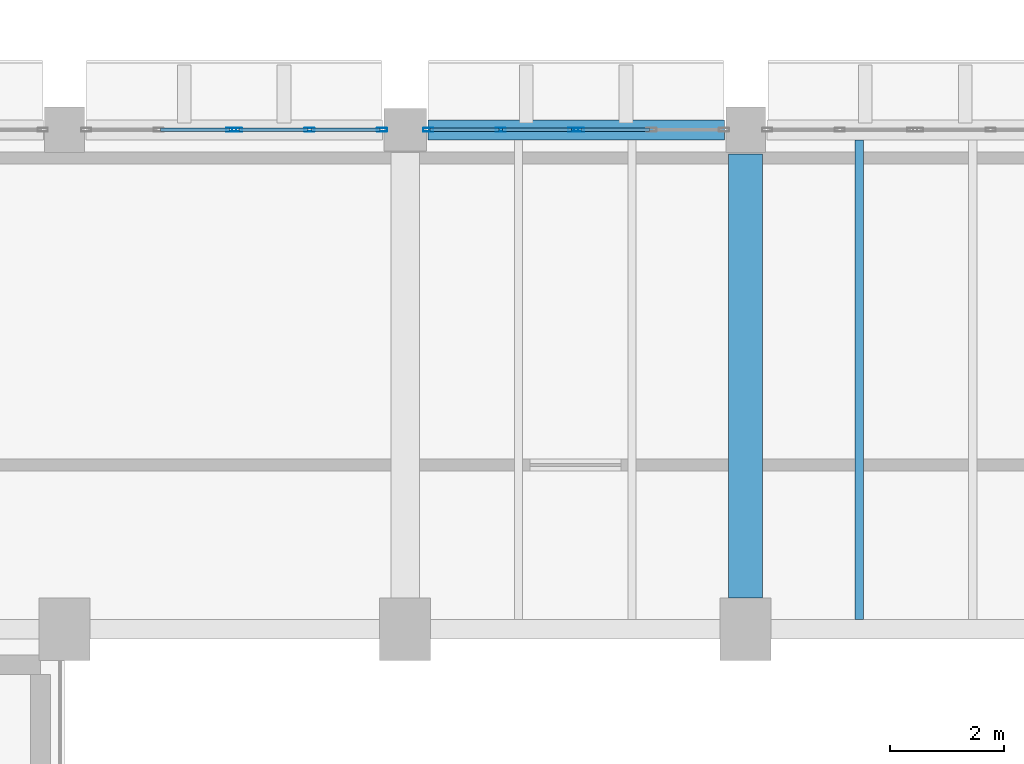
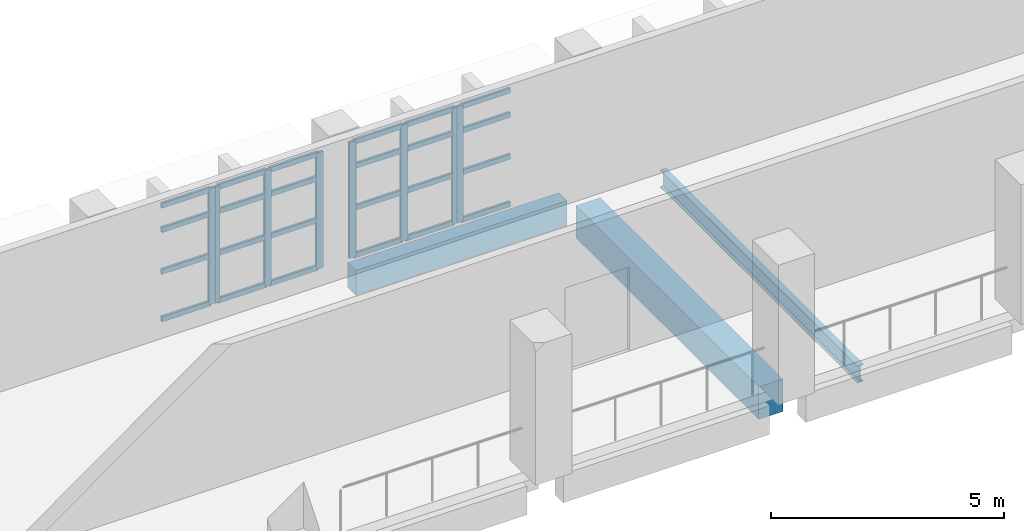
# One storey, part 38 of 80: 32 members, 3 beams, 4 elements without a shape of their own.
"""IFC4 building model written with IfcOpenShell, lengths in metres."""

from ifc_helpers import new_model, si_unit, direction, frame, origin, origin_2d, place, context, subcontext, project, spatial, rectangle, hollow_rectangle, i_section, extrude, material, material_profile, profile_set, type_object, element, aggregate, save


model = new_model("IFC4")

# Units and contexts
model_context = context("Model", 3, precision=1e-05, world=origin(), true_north=direction((0.0, 1.0)))
body_context = subcontext(model_context, "Body", "Model", "MODEL_VIEW")
ifc_project = project(units=[si_unit("LENGTHUNIT", "METRE"), si_unit("AREAUNIT", "SQUARE_METRE"), si_unit("VOLUMEUNIT", "CUBIC_METRE"), si_unit("PLANEANGLEUNIT", "RADIAN"), si_unit("MASSUNIT", "GRAM", prefix="KILO")], contexts=[model_context])

# Site, building, storey
site_placement = place(None, origin())
site = spatial("IfcSite", under=ifc_project, at=site_placement, CompositionType="ELEMENT")
building_placement = place(site_placement, origin())
building = spatial("IfcBuilding", under=site, at=building_placement, Name="Varnakota Cinema and Media Centre", CompositionType="ELEMENT")
storey_placement = place(building_placement, frame((0.0, 0.0, 4.5)))
storey = spatial("IfcBuildingStorey", under=building, at=storey_placement, Name="L01", CompositionType="ELEMENT", Elevation=4.5)

# Beams
ifc_material_1 = material(Name="Concrete M35", Category="concrete")
ifc_material_profile_1 = material_profile(ifc_material_1, rectangle(XDim=0.60009765625, YDim=0.85009765625, at=origin_2d()), Name="RCB 600x850")
ifc_profile_set_1 = profile_set([ifc_material_profile_1], Name="Concrete M35")
beam_type_1 = type_object("IfcBeamType", Name="BM-RC-600x850", PredefinedType="BEAM", material=ifc_profile_set_1)
beam_1_placement = place(storey_placement, frame((105.0, 35.75, -0.675048828125), z_axis=(0.0, 1.0, 0.0), x_axis=(-1.0, 0.0, 0.0)))
element("IfcBeam", 1, at=beam_1_placement, inside=storey, type_object=beam_type_1, Name="L01 girder Q/5-6", PredefinedType="BEAM", context=body_context, shape_type="SweptSolid", body=[
    extrude(rectangle(XDim=0.60009765625, YDim=0.85009765625, at=origin_2d()), origin(), (0.0, 0.0, 1.0), 7.824951171875),
])
ifc_material_2 = material(Name="Concrete M40", Category="concrete")
ifc_material_profile_2 = material_profile(ifc_material_2, rectangle(XDim=0.35009765625, YDim=0.64990234375, at=origin_2d()), Name="RCB 350x650")
ifc_profile_set_2 = profile_set([ifc_material_profile_2], Name="Concrete M40")
beam_type_2 = type_object("IfcBeamType", Name="BM-SP-350x650", PredefinedType="SPANDREL", material=ifc_profile_set_2)
beam_2_placement = place(storey_placement, frame((99.39990234375, 44.0, -0.574951171875), z_axis=(1.0, 0.0, 0.0), x_axis=(0.0, 1.0, 0.0)))
element("IfcBeam", 2, at=beam_2_placement, inside=storey, type_object=beam_type_2, Name="L01 girder P-Q/6", PredefinedType="SPANDREL", context=body_context, shape_type="SweptSolid", body=[
    extrude(rectangle(XDim=0.35009765625, YDim=0.64990234375, at=origin_2d()), origin(), (0.0, 0.0, 1.0), 5.22509765625),
])
ifc_material_3 = material(Name="Structural steel Grade 350 (E350)", Category="steel")
ifc_material_profile_3 = material_profile(ifc_material_3, i_section(OverallWidth=0.14990234375, OverallDepth=0.449951171875, WebThickness=0.009521484375, FlangeThickness=0.017333984375, FilletRadius=0.014892578125, at=origin_2d()), Name="ISMB 450")
ifc_profile_set_3 = profile_set([ifc_material_profile_3], Name="Structural steel Grade 350 (E350)")
beam_type_3 = type_object("IfcBeamType", Name="BM-ST-ISMB450", PredefinedType="BEAM", material=ifc_profile_set_3)
beam_3_placement = place(storey_placement, frame((107.0, 35.375, -0.47509765625), z_axis=(0.0, 1.0, 0.0), x_axis=(-1.0, 0.0, 0.0)))
element("IfcBeam", 3, at=beam_3_placement, inside=storey, type_object=beam_type_3, Name="L01 steel joist Q-R/5-6 #1", PredefinedType="BEAM", context=body_context, shape_type="SweptSolid", body=[
    extrude(i_section(OverallWidth=0.14990234375, OverallDepth=0.449951171875, WebThickness=0.009521484375, FlangeThickness=0.017333984375, FilletRadius=0.014892578125, at=origin_2d()), origin(), (0.0, 0.0, 1.0), 8.449951171875),
])

# Curtain wall, member
ifc_material_4 = material(Name="Thermally broken anodised aluminium AW-6063", Category="aluminium")
curtain_wall_type = type_object("IfcCurtainWallType", Name="CW-STD-262x304", PredefinedType="USERDEFINED", material=ifc_material_4)
curtain_wall_1_placement = place(storey_placement, origin())
curtain_wall_1 = element("IfcCurtainWall", 4, at=curtain_wall_1_placement, inside=storey, type_object=curtain_wall_type, Name="L01 curtain wall CW-L01-V1-N-04-1", ObjectType="UNITISED CURTAIN WALL", PredefinedType="USERDEFINED")
ifc_material_5 = material(Name="Thermally broken anodised aluminium AW-6063", Category="aluminium")
ifc_material_profile_4 = material_profile(ifc_material_5, hollow_rectangle(XDim=0.06494140625, YDim=0.179931640625, WallThickness=0.00390625, InnerFilletRadius=0.00390625, OuterFilletRadius=0.008056640625, at=origin_2d()), Name="AL-MULLION 180x65x4")
ifc_profile_set_4 = profile_set([ifc_material_profile_4], Name="Thermally broken anodised aluminium AW-6063")
member_type_1 = type_object("IfcMemberType", Name="CWM-AL-180", PredefinedType="MULLION", material=ifc_profile_set_4)
member_1_placement = place(storey_placement, frame((95.93505859375, 44.0, 0.0), z_axis=(0.0, 0.0, 1.0), x_axis=(0.0, 1.0, 0.0)))
member_1 = element("IfcMember", 5, at=member_1_placement, type_object=member_type_1, Name="CW17 mullion 3", PredefinedType="MULLION", context=body_context, shape_type="SweptSolid", body=[
    extrude(hollow_rectangle(XDim=0.06494140625, YDim=0.179931640625, WallThickness=0.00390625, InnerFilletRadius=0.00390625, OuterFilletRadius=0.008056640625, at=origin_2d()), origin(), (0.0, 0.0, 1.0), 3.034912109375),
])

# Curtain wall, members
curtain_wall_2_placement = place(storey_placement, origin())
curtain_wall_2 = element("IfcCurtainWall", 6, at=curtain_wall_2_placement, inside=storey, type_object=curtain_wall_type, Name="L01 curtain wall CW-L01-V1-N-04-2", ObjectType="UNITISED CURTAIN WALL", PredefinedType="USERDEFINED")
member_2_placement = place(storey_placement, frame((96.0400390625, 44.0, 0.0), z_axis=(0.0, 0.0, 1.0), x_axis=(0.0, 1.0, 0.0)))
member_2 = element("IfcMember", 7, at=member_2_placement, type_object=member_type_1, Name="CW17 mullion 1", PredefinedType="MULLION", context=body_context, shape_type="SweptSolid", body=[
    extrude(hollow_rectangle(XDim=0.06494140625, YDim=0.179931640625, WallThickness=0.00390625, InnerFilletRadius=0.00390625, OuterFilletRadius=0.008056640625, at=origin_2d()), origin(), (0.0, 0.0, 1.0), 3.034912109375),
])
member_3_placement = place(storey_placement, frame((97.316162109375, 44.0, 0.0), z_axis=(0.0, 0.0, 1.0), x_axis=(0.0, 1.0, 0.0)))
member_3 = element("IfcMember", 8, at=member_3_placement, type_object=member_type_1, Name="CW17 mullion 2", PredefinedType="MULLION", context=body_context, shape_type="SweptSolid", body=[
    extrude(hollow_rectangle(XDim=0.06494140625, YDim=0.179931640625, WallThickness=0.00390625, InnerFilletRadius=0.00390625, OuterFilletRadius=0.008056640625, at=origin_2d()), origin(), (0.0, 0.0, 1.0), 3.034912109375),
])
member_4_placement = place(storey_placement, frame((98.592529296875, 44.0, 0.0), z_axis=(0.0, 0.0, 1.0), x_axis=(0.0, 1.0, 0.0)))
member_4 = element("IfcMember", 9, at=member_4_placement, type_object=member_type_1, Name="CW17 mullion 3", PredefinedType="MULLION", context=body_context, shape_type="SweptSolid", body=[
    extrude(hollow_rectangle(XDim=0.06494140625, YDim=0.179931640625, WallThickness=0.00390625, InnerFilletRadius=0.00390625, OuterFilletRadius=0.008056640625, at=origin_2d()), origin(), (0.0, 0.0, 1.0), 3.034912109375),
])

curtain_wall_3_placement = place(storey_placement, origin())
curtain_wall_3 = element("IfcCurtainWall", 10, at=curtain_wall_3_placement, inside=storey, type_object=curtain_wall_type, Name="L01 curtain wall CW-L01-V1-N-05-1", ObjectType="UNITISED CURTAIN WALL", PredefinedType="USERDEFINED")
member_5_placement = place(storey_placement, frame((99.407470703125, 44.0, 0.0), z_axis=(0.0, 0.0, 1.0), x_axis=(0.0, 1.0, 0.0)))
member_5 = element("IfcMember", 11, at=member_5_placement, type_object=member_type_1, Name="CW17 mullion 1", PredefinedType="MULLION", context=body_context, shape_type="SweptSolid", body=[
    extrude(hollow_rectangle(XDim=0.06494140625, YDim=0.179931640625, WallThickness=0.00390625, InnerFilletRadius=0.00390625, OuterFilletRadius=0.008056640625, at=origin_2d()), origin(), (0.0, 0.0, 1.0), 3.034912109375),
])
member_6_placement = place(storey_placement, frame((100.683837890625, 44.0, 0.0), z_axis=(0.0, 0.0, 1.0), x_axis=(0.0, 1.0, 0.0)))
member_6 = element("IfcMember", 12, at=member_6_placement, type_object=member_type_1, Name="CW17 mullion 2", PredefinedType="MULLION", context=body_context, shape_type="SweptSolid", body=[
    extrude(hollow_rectangle(XDim=0.06494140625, YDim=0.179931640625, WallThickness=0.00390625, InnerFilletRadius=0.00390625, OuterFilletRadius=0.008056640625, at=origin_2d()), origin(), (0.0, 0.0, 1.0), 3.034912109375),
])
member_7_placement = place(storey_placement, frame((101.9599609375, 44.0, 0.0), z_axis=(0.0, 0.0, 1.0), x_axis=(0.0, 1.0, 0.0)))
member_7 = element("IfcMember", 13, at=member_7_placement, type_object=member_type_1, Name="CW17 mullion 3", PredefinedType="MULLION", context=body_context, shape_type="SweptSolid", body=[
    extrude(hollow_rectangle(XDim=0.06494140625, YDim=0.179931640625, WallThickness=0.00390625, InnerFilletRadius=0.00390625, OuterFilletRadius=0.008056640625, at=origin_2d()), origin(), (0.0, 0.0, 1.0), 3.034912109375),
])

# Curtain wall, member
curtain_wall_4_placement = place(storey_placement, origin())
curtain_wall_4 = element("IfcCurtainWall", 14, at=curtain_wall_4_placement, inside=storey, type_object=curtain_wall_type, Name="L01 curtain wall CW-L01-V1-N-05-2", ObjectType="UNITISED CURTAIN WALL", PredefinedType="USERDEFINED")
member_8_placement = place(storey_placement, frame((102.06494140625, 44.0, 0.0), z_axis=(0.0, 0.0, 1.0), x_axis=(0.0, 1.0, 0.0)))
member_8 = element("IfcMember", 15, at=member_8_placement, type_object=member_type_1, Name="CW17 mullion 1", PredefinedType="MULLION", context=body_context, shape_type="SweptSolid", body=[
    extrude(hollow_rectangle(XDim=0.06494140625, YDim=0.179931640625, WallThickness=0.00390625, InnerFilletRadius=0.00390625, OuterFilletRadius=0.008056640625, at=origin_2d()), origin(), (0.0, 0.0, 1.0), 3.034912109375),
])

# Member
ifc_material_6 = material(Name="Thermally broken anodised aluminium AW-6063", Category="aluminium")
ifc_material_profile_5 = material_profile(ifc_material_6, hollow_rectangle(XDim=0.06494140625, YDim=0.139892578125, WallThickness=0.00390625, InnerFilletRadius=0.00390625, OuterFilletRadius=0.008056640625, at=origin_2d()), Name="AL-TRANSOM 140x65x4")
ifc_profile_set_5 = profile_set([ifc_material_profile_5], Name="Thermally broken anodised aluminium AW-6063")
member_type_2 = type_object("IfcMemberType", Name="CWT-AL-140", PredefinedType="USERDEFINED", material=ifc_profile_set_5)
member_9_placement = place(storey_placement, frame((94.691162109375, 44.0, 0.032470703125), z_axis=(1.0, 0.0, 0.0), x_axis=(0.0, 1.0, 0.0)))
member_9 = element("IfcMember", 16, at=member_9_placement, type_object=member_type_2, Name="CW17 transom 2.1", ObjectType="TRANSOM", PredefinedType="USERDEFINED", context=body_context, shape_type="SweptSolid", body=[
    extrude(hollow_rectangle(XDim=0.06494140625, YDim=0.139892578125, WallThickness=0.00390625, InnerFilletRadius=0.00390625, OuterFilletRadius=0.008056640625, at=origin_2d()), origin(), (0.0, 0.0, 1.0), 1.21142578125),
])

member_10_placement = place(storey_placement, frame((94.691162109375, 44.0, 1.274658203125), z_axis=(1.0, 0.0, 0.0), x_axis=(0.0, 1.0, 0.0)))
member_10 = element("IfcMember", 17, at=member_10_placement, type_object=member_type_2, Name="CW17 transom 2.2", ObjectType="TRANSOM", PredefinedType="USERDEFINED", context=body_context, shape_type="SweptSolid", body=[
    extrude(hollow_rectangle(XDim=0.06494140625, YDim=0.139892578125, WallThickness=0.00390625, InnerFilletRadius=0.00390625, OuterFilletRadius=0.008056640625, at=origin_2d()), origin(), (0.0, 0.0, 1.0), 1.21142578125),
])

member_11_placement = place(storey_placement, frame((94.691162109375, 44.0, 2.3671875), z_axis=(1.0, 0.0, 0.0), x_axis=(0.0, 1.0, 0.0)))
member_11 = element("IfcMember", 18, at=member_11_placement, type_object=member_type_2, Name="CW17 transom 2.3", ObjectType="TRANSOM", PredefinedType="USERDEFINED", context=body_context, shape_type="SweptSolid", body=[
    extrude(hollow_rectangle(XDim=0.06494140625, YDim=0.139892578125, WallThickness=0.00390625, InnerFilletRadius=0.00390625, OuterFilletRadius=0.008056640625, at=origin_2d()), origin(), (0.0, 0.0, 1.0), 1.21142578125),
])

member_12_placement = place(storey_placement, frame((94.691162109375, 44.0, 3.00244140625), z_axis=(1.0, 0.0, 0.0), x_axis=(0.0, 1.0, 0.0)))
member_12 = element("IfcMember", 19, at=member_12_placement, type_object=member_type_2, Name="CW17 transom 2.4", ObjectType="TRANSOM", PredefinedType="USERDEFINED", context=body_context, shape_type="SweptSolid", body=[
    extrude(hollow_rectangle(XDim=0.06494140625, YDim=0.139892578125, WallThickness=0.00390625, InnerFilletRadius=0.00390625, OuterFilletRadius=0.008056640625, at=origin_2d()), origin(), (0.0, 0.0, 1.0), 1.21142578125),
])

aggregate(curtain_wall_1, [member_1, member_9, member_10, member_11, member_12])

member_13_placement = place(storey_placement, frame((96.072509765625, 44.0, 0.032470703125), z_axis=(1.0, 0.0, 0.0), x_axis=(0.0, 1.0, 0.0)))
member_13 = element("IfcMember", 20, at=member_13_placement, type_object=member_type_2, Name="CW17 transom 1.1", ObjectType="TRANSOM", PredefinedType="USERDEFINED", context=body_context, shape_type="SweptSolid", body=[
    extrude(hollow_rectangle(XDim=0.06494140625, YDim=0.139892578125, WallThickness=0.00390625, InnerFilletRadius=0.00390625, OuterFilletRadius=0.008056640625, at=origin_2d()), origin(), (0.0, 0.0, 1.0), 1.211181640625),
])

member_14_placement = place(storey_placement, frame((96.072509765625, 44.0, 1.274658203125), z_axis=(1.0, 0.0, 0.0), x_axis=(0.0, 1.0, 0.0)))
member_14 = element("IfcMember", 21, at=member_14_placement, type_object=member_type_2, Name="CW17 transom 1.2", ObjectType="TRANSOM", PredefinedType="USERDEFINED", context=body_context, shape_type="SweptSolid", body=[
    extrude(hollow_rectangle(XDim=0.06494140625, YDim=0.139892578125, WallThickness=0.00390625, InnerFilletRadius=0.00390625, OuterFilletRadius=0.008056640625, at=origin_2d()), origin(), (0.0, 0.0, 1.0), 1.211181640625),
])

member_15_placement = place(storey_placement, frame((96.072509765625, 44.0, 2.3671875), z_axis=(1.0, 0.0, 0.0), x_axis=(0.0, 1.0, 0.0)))
member_15 = element("IfcMember", 22, at=member_15_placement, type_object=member_type_2, Name="CW17 transom 1.3", ObjectType="TRANSOM", PredefinedType="USERDEFINED", context=body_context, shape_type="SweptSolid", body=[
    extrude(hollow_rectangle(XDim=0.06494140625, YDim=0.139892578125, WallThickness=0.00390625, InnerFilletRadius=0.00390625, OuterFilletRadius=0.008056640625, at=origin_2d()), origin(), (0.0, 0.0, 1.0), 1.211181640625),
])

member_16_placement = place(storey_placement, frame((96.072509765625, 44.0, 3.00244140625), z_axis=(1.0, 0.0, 0.0), x_axis=(0.0, 1.0, 0.0)))
member_16 = element("IfcMember", 23, at=member_16_placement, type_object=member_type_2, Name="CW17 transom 1.4", ObjectType="TRANSOM", PredefinedType="USERDEFINED", context=body_context, shape_type="SweptSolid", body=[
    extrude(hollow_rectangle(XDim=0.06494140625, YDim=0.139892578125, WallThickness=0.00390625, InnerFilletRadius=0.00390625, OuterFilletRadius=0.008056640625, at=origin_2d()), origin(), (0.0, 0.0, 1.0), 1.211181640625),
])

member_17_placement = place(storey_placement, frame((97.3486328125, 44.0, 0.032470703125), z_axis=(1.0, 0.0, 0.0), x_axis=(0.0, 1.0, 0.0)))
member_17 = element("IfcMember", 24, at=member_17_placement, type_object=member_type_2, Name="CW17 transom 2.1", ObjectType="TRANSOM", PredefinedType="USERDEFINED", context=body_context, shape_type="SweptSolid", body=[
    extrude(hollow_rectangle(XDim=0.06494140625, YDim=0.139892578125, WallThickness=0.00390625, InnerFilletRadius=0.00390625, OuterFilletRadius=0.008056640625, at=origin_2d()), origin(), (0.0, 0.0, 1.0), 1.21142578125),
])

member_18_placement = place(storey_placement, frame((97.3486328125, 44.0, 1.274658203125), z_axis=(1.0, 0.0, 0.0), x_axis=(0.0, 1.0, 0.0)))
member_18 = element("IfcMember", 25, at=member_18_placement, type_object=member_type_2, Name="CW17 transom 2.2", ObjectType="TRANSOM", PredefinedType="USERDEFINED", context=body_context, shape_type="SweptSolid", body=[
    extrude(hollow_rectangle(XDim=0.06494140625, YDim=0.139892578125, WallThickness=0.00390625, InnerFilletRadius=0.00390625, OuterFilletRadius=0.008056640625, at=origin_2d()), origin(), (0.0, 0.0, 1.0), 1.21142578125),
])

member_19_placement = place(storey_placement, frame((97.3486328125, 44.0, 2.3671875), z_axis=(1.0, 0.0, 0.0), x_axis=(0.0, 1.0, 0.0)))
member_19 = element("IfcMember", 26, at=member_19_placement, type_object=member_type_2, Name="CW17 transom 2.3", ObjectType="TRANSOM", PredefinedType="USERDEFINED", context=body_context, shape_type="SweptSolid", body=[
    extrude(hollow_rectangle(XDim=0.06494140625, YDim=0.139892578125, WallThickness=0.00390625, InnerFilletRadius=0.00390625, OuterFilletRadius=0.008056640625, at=origin_2d()), origin(), (0.0, 0.0, 1.0), 1.21142578125),
])

member_20_placement = place(storey_placement, frame((97.3486328125, 44.0, 3.00244140625), z_axis=(1.0, 0.0, 0.0), x_axis=(0.0, 1.0, 0.0)))
member_20 = element("IfcMember", 27, at=member_20_placement, type_object=member_type_2, Name="CW17 transom 2.4", ObjectType="TRANSOM", PredefinedType="USERDEFINED", context=body_context, shape_type="SweptSolid", body=[
    extrude(hollow_rectangle(XDim=0.06494140625, YDim=0.139892578125, WallThickness=0.00390625, InnerFilletRadius=0.00390625, OuterFilletRadius=0.008056640625, at=origin_2d()), origin(), (0.0, 0.0, 1.0), 1.21142578125),
])

aggregate(curtain_wall_2, [member_2, member_3, member_4, member_13, member_14, member_15, member_16, member_17, member_18, member_19, member_20])

member_21_placement = place(storey_placement, frame((99.43994140625, 44.0, 0.032470703125), z_axis=(1.0, 0.0, 0.0), x_axis=(0.0, 1.0, 0.0)))
member_21 = element("IfcMember", 28, at=member_21_placement, type_object=member_type_2, Name="CW17 transom 1.1", ObjectType="TRANSOM", PredefinedType="USERDEFINED", context=body_context, shape_type="SweptSolid", body=[
    extrude(hollow_rectangle(XDim=0.06494140625, YDim=0.139892578125, WallThickness=0.00390625, InnerFilletRadius=0.00390625, OuterFilletRadius=0.008056640625, at=origin_2d()), origin(), (0.0, 0.0, 1.0), 1.21142578125),
])

member_22_placement = place(storey_placement, frame((99.43994140625, 44.0, 1.274658203125), z_axis=(1.0, 0.0, 0.0), x_axis=(0.0, 1.0, 0.0)))
member_22 = element("IfcMember", 29, at=member_22_placement, type_object=member_type_2, Name="CW17 transom 1.2", ObjectType="TRANSOM", PredefinedType="USERDEFINED", context=body_context, shape_type="SweptSolid", body=[
    extrude(hollow_rectangle(XDim=0.06494140625, YDim=0.139892578125, WallThickness=0.00390625, InnerFilletRadius=0.00390625, OuterFilletRadius=0.008056640625, at=origin_2d()), origin(), (0.0, 0.0, 1.0), 1.21142578125),
])

member_23_placement = place(storey_placement, frame((99.43994140625, 44.0, 2.3671875), z_axis=(1.0, 0.0, 0.0), x_axis=(0.0, 1.0, 0.0)))
member_23 = element("IfcMember", 30, at=member_23_placement, type_object=member_type_2, Name="CW17 transom 1.3", ObjectType="TRANSOM", PredefinedType="USERDEFINED", context=body_context, shape_type="SweptSolid", body=[
    extrude(hollow_rectangle(XDim=0.06494140625, YDim=0.139892578125, WallThickness=0.00390625, InnerFilletRadius=0.00390625, OuterFilletRadius=0.008056640625, at=origin_2d()), origin(), (0.0, 0.0, 1.0), 1.21142578125),
])

member_24_placement = place(storey_placement, frame((99.43994140625, 44.0, 3.00244140625), z_axis=(1.0, 0.0, 0.0), x_axis=(0.0, 1.0, 0.0)))
member_24 = element("IfcMember", 31, at=member_24_placement, type_object=member_type_2, Name="CW17 transom 1.4", ObjectType="TRANSOM", PredefinedType="USERDEFINED", context=body_context, shape_type="SweptSolid", body=[
    extrude(hollow_rectangle(XDim=0.06494140625, YDim=0.139892578125, WallThickness=0.00390625, InnerFilletRadius=0.00390625, OuterFilletRadius=0.008056640625, at=origin_2d()), origin(), (0.0, 0.0, 1.0), 1.21142578125),
])

member_25_placement = place(storey_placement, frame((100.71630859375, 44.0, 0.032470703125), z_axis=(1.0, 0.0, 0.0), x_axis=(0.0, 1.0, 0.0)))
member_25 = element("IfcMember", 32, at=member_25_placement, type_object=member_type_2, Name="CW17 transom 2.1", ObjectType="TRANSOM", PredefinedType="USERDEFINED", context=body_context, shape_type="SweptSolid", body=[
    extrude(hollow_rectangle(XDim=0.06494140625, YDim=0.139892578125, WallThickness=0.00390625, InnerFilletRadius=0.00390625, OuterFilletRadius=0.008056640625, at=origin_2d()), origin(), (0.0, 0.0, 1.0), 1.211181640625),
])

member_26_placement = place(storey_placement, frame((100.71630859375, 44.0, 1.274658203125), z_axis=(1.0, 0.0, 0.0), x_axis=(0.0, 1.0, 0.0)))
member_26 = element("IfcMember", 33, at=member_26_placement, type_object=member_type_2, Name="CW17 transom 2.2", ObjectType="TRANSOM", PredefinedType="USERDEFINED", context=body_context, shape_type="SweptSolid", body=[
    extrude(hollow_rectangle(XDim=0.06494140625, YDim=0.139892578125, WallThickness=0.00390625, InnerFilletRadius=0.00390625, OuterFilletRadius=0.008056640625, at=origin_2d()), origin(), (0.0, 0.0, 1.0), 1.211181640625),
])

member_27_placement = place(storey_placement, frame((100.71630859375, 44.0, 2.3671875), z_axis=(1.0, 0.0, 0.0), x_axis=(0.0, 1.0, 0.0)))
member_27 = element("IfcMember", 34, at=member_27_placement, type_object=member_type_2, Name="CW17 transom 2.3", ObjectType="TRANSOM", PredefinedType="USERDEFINED", context=body_context, shape_type="SweptSolid", body=[
    extrude(hollow_rectangle(XDim=0.06494140625, YDim=0.139892578125, WallThickness=0.00390625, InnerFilletRadius=0.00390625, OuterFilletRadius=0.008056640625, at=origin_2d()), origin(), (0.0, 0.0, 1.0), 1.211181640625),
])

member_28_placement = place(storey_placement, frame((100.71630859375, 44.0, 3.00244140625), z_axis=(1.0, 0.0, 0.0), x_axis=(0.0, 1.0, 0.0)))
member_28 = element("IfcMember", 35, at=member_28_placement, type_object=member_type_2, Name="CW17 transom 2.4", ObjectType="TRANSOM", PredefinedType="USERDEFINED", context=body_context, shape_type="SweptSolid", body=[
    extrude(hollow_rectangle(XDim=0.06494140625, YDim=0.139892578125, WallThickness=0.00390625, InnerFilletRadius=0.00390625, OuterFilletRadius=0.008056640625, at=origin_2d()), origin(), (0.0, 0.0, 1.0), 1.211181640625),
])

aggregate(curtain_wall_3, [member_5, member_6, member_7, member_21, member_22, member_23, member_24, member_25, member_26, member_27, member_28])

member_29_placement = place(storey_placement, frame((102.097412109375, 44.0, 0.032470703125), z_axis=(1.0, 0.0, 0.0), x_axis=(0.0, 1.0, 0.0)))
member_29 = element("IfcMember", 36, at=member_29_placement, type_object=member_type_2, Name="CW17 transom 1.1", ObjectType="TRANSOM", PredefinedType="USERDEFINED", context=body_context, shape_type="SweptSolid", body=[
    extrude(hollow_rectangle(XDim=0.06494140625, YDim=0.139892578125, WallThickness=0.00390625, InnerFilletRadius=0.00390625, OuterFilletRadius=0.008056640625, at=origin_2d()), origin(), (0.0, 0.0, 1.0), 1.21142578125),
])

member_30_placement = place(storey_placement, frame((102.097412109375, 44.0, 1.274658203125), z_axis=(1.0, 0.0, 0.0), x_axis=(0.0, 1.0, 0.0)))
member_30 = element("IfcMember", 37, at=member_30_placement, type_object=member_type_2, Name="CW17 transom 1.2", ObjectType="TRANSOM", PredefinedType="USERDEFINED", context=body_context, shape_type="SweptSolid", body=[
    extrude(hollow_rectangle(XDim=0.06494140625, YDim=0.139892578125, WallThickness=0.00390625, InnerFilletRadius=0.00390625, OuterFilletRadius=0.008056640625, at=origin_2d()), origin(), (0.0, 0.0, 1.0), 1.21142578125),
])

member_31_placement = place(storey_placement, frame((102.097412109375, 44.0, 2.3671875), z_axis=(1.0, 0.0, 0.0), x_axis=(0.0, 1.0, 0.0)))
member_31 = element("IfcMember", 38, at=member_31_placement, type_object=member_type_2, Name="CW17 transom 1.3", ObjectType="TRANSOM", PredefinedType="USERDEFINED", context=body_context, shape_type="SweptSolid", body=[
    extrude(hollow_rectangle(XDim=0.06494140625, YDim=0.139892578125, WallThickness=0.00390625, InnerFilletRadius=0.00390625, OuterFilletRadius=0.008056640625, at=origin_2d()), origin(), (0.0, 0.0, 1.0), 1.21142578125),
])

member_32_placement = place(storey_placement, frame((102.097412109375, 44.0, 3.00244140625), z_axis=(1.0, 0.0, 0.0), x_axis=(0.0, 1.0, 0.0)))
member_32 = element("IfcMember", 39, at=member_32_placement, type_object=member_type_2, Name="CW17 transom 1.4", ObjectType="TRANSOM", PredefinedType="USERDEFINED", context=body_context, shape_type="SweptSolid", body=[
    extrude(hollow_rectangle(XDim=0.06494140625, YDim=0.139892578125, WallThickness=0.00390625, InnerFilletRadius=0.00390625, OuterFilletRadius=0.008056640625, at=origin_2d()), origin(), (0.0, 0.0, 1.0), 1.21142578125),
])

aggregate(curtain_wall_4, [member_8, member_29, member_30, member_31, member_32])

save(model, "model.ifc")
